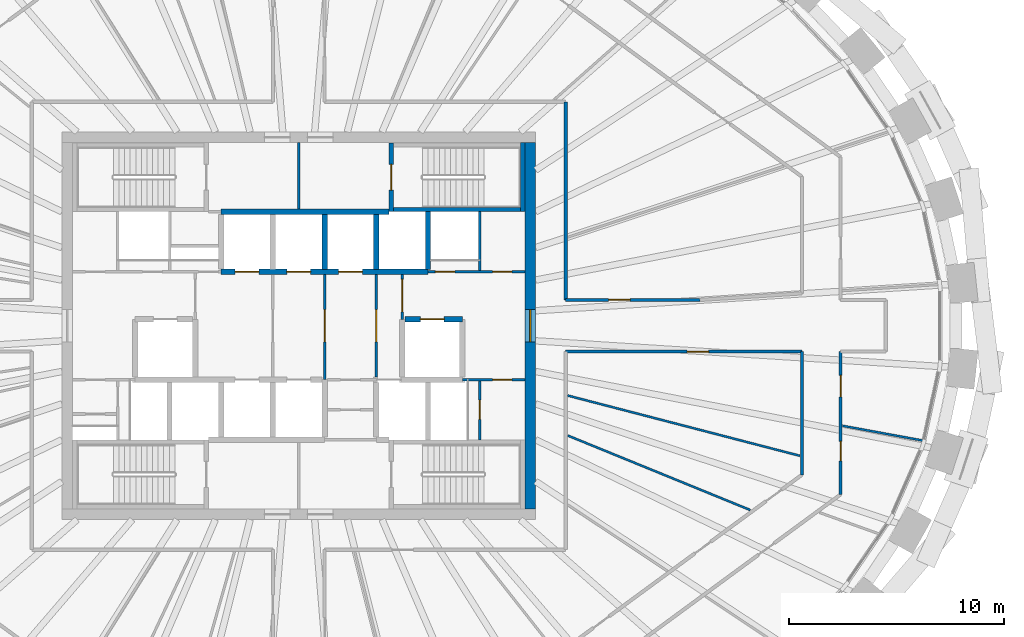
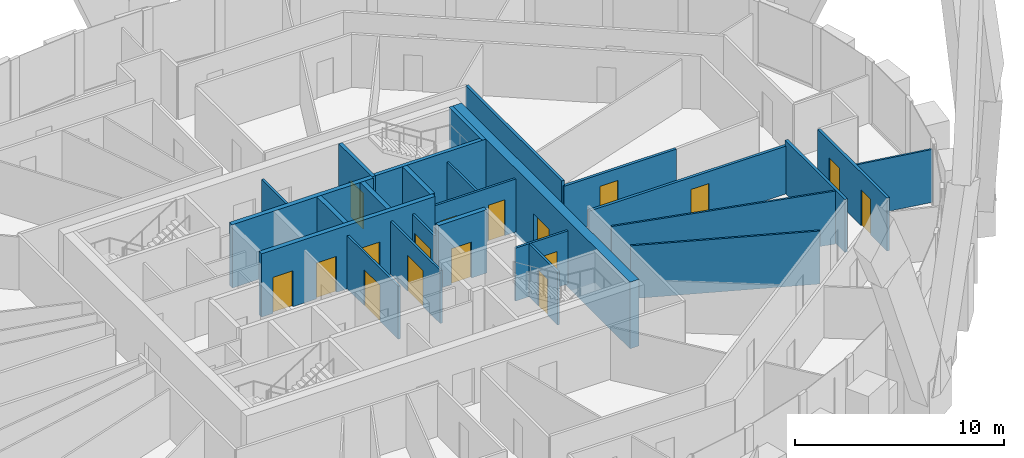
# One storey, part 10 of 14: 26 walls, 17 doors, 17 openings.
"""IFC4 building model written with IfcOpenShell, lengths in metres."""

from ifc_helpers import new_model, si_unit, direction, frame, frame_2d, origin, place, context, subcontext, project, spatial, rectangle, extrude, source, transform, mapped, material, layer, layer_set, type_object, element, fill, save


model = new_model("IFC4")

# Units and contexts
model_context = context("Model", 3, precision=1e-05, world=origin(), true_north=direction((0.0, 1.0)))
body_context = subcontext(model_context, "Body", "Model", "MODEL_VIEW")
ifc_project = project(units=[si_unit("LENGTHUNIT", "METRE"), si_unit("AREAUNIT", "SQUARE_METRE"), si_unit("VOLUMEUNIT", "CUBIC_METRE"), si_unit("PLANEANGLEUNIT", "RADIAN"), si_unit("MASSUNIT", "GRAM", prefix="KILO")], contexts=[model_context])

# Site, building, storey
site_placement = place(None, origin())
site = spatial("IfcSite", under=ifc_project, at=site_placement, CompositionType="ELEMENT")
building_placement = place(site_placement, origin())
building = spatial("IfcBuilding", under=site, at=building_placement, Name="Embergate Tower", CompositionType="ELEMENT")
storey_placement = place(building_placement, frame((0.0, 0.0, 297.39990234375)))
storey = spatial("IfcBuildingStorey", under=building, at=storey_placement, Name="L69", CompositionType="ELEMENT", Elevation=297.39990234375)

# Wall, opening, door
ifc_material_1 = material(Name="Concrete C50", Category="concrete")
ifc_layer_1 = layer(ifc_material_1, 0.5)
ifc_layer_set_1 = layer_set([ifc_layer_1], Name="Concrete C50")
wall_type_1 = type_object("IfcWallType", Name="Core outer wall C50 500", PredefinedType="SHEAR", material=ifc_layer_set_1)
shared_shape_1 = source(origin(), body_context, "Body", "SweptSolid", [
    extrude(rectangle(XDim=17.0, YDim=0.5, at=frame_2d((8.5, 0.0))), origin(), (0.0, 0.0, 1.0), 3.900146484375),
])
wall_1_placement = place(storey_placement, frame((10.75, -8.5, -0.199951171875), z_axis=(0.0, 0.0, 1.0), x_axis=(0.0, 1.0, 0.0)))
wall_1 = element("IfcWall", 1, at=wall_1_placement, inside=storey, type_object=wall_type_1, Name="CW-L69-E", PredefinedType="SHEAR", context=body_context, shape_type="MappedRepresentation", body=[
    mapped(shared_shape_1, transform((0.0, 0.0, 0.0))),
])
shared_shape_2 = source(origin(), body_context, "Body", "SweptSolid", [
    extrude(rectangle(XDim=1.5, YDim=2.10009765625, at=frame_2d((0.75, 1.050048828125))), frame((0.0, 0.260009765625, 0.0), z_axis=(0.0, -1.0, 0.0), x_axis=(1.0, 0.0, 0.0)), (0.0, 0.0, 1.0), 0.52001953125),
])
opening_1_placement = place(wall_1_placement, frame((7.75, 0.0, 0.199951171875)))
opening_1 = element("IfcOpeningElement", 2, at=opening_1_placement, cuts=wall_1, Name="Opening IF-3", PredefinedType="OPENING", context=body_context, shape_type="MappedRepresentation", body=[
    mapped(shared_shape_2, transform((0.0, 0.0, 0.0))),
])
ifc_material_2 = material(Name="Lobby fire door pair 1500")
door_type_1 = type_object("IfcDoorType", Name="Lobby fire door pair 1500", OperationType="DOUBLE_DOOR_SINGLE_SWING", PredefinedType="DOOR", material=ifc_material_2)
shared_shape_3 = source(origin(), body_context, "Body", "SweptSolid", [
    extrude(rectangle(XDim=1.5, YDim=2.10009765625, at=frame_2d((0.75, 1.050048828125))), frame((0.0, 0.02490234375, 0.0), z_axis=(0.0, -1.0, 0.0), x_axis=(1.0, 0.0, 0.0)), (0.0, 0.0, 1.0), 0.050048828125),
])
door_1_placement = place(opening_1_placement, origin())
door_1 = element("IfcDoor", 3, at=door_1_placement, inside=storey, type_object=door_type_1, Name="IF-3 door", OperationType="DOUBLE_DOOR_SINGLE_SWING", OverallHeight=2.10009765625, OverallWidth=1.5, PredefinedType="DOOR", context=body_context, shape_type="MappedRepresentation", body=[
    mapped(shared_shape_3, transform((0.0, 0.0, 0.0))),
])
fill(opening_1, door_1)

# Wall
ifc_material_3 = material(Name="Core partition blockwork 120")
ifc_layer_2 = layer(ifc_material_3, 0.1201171875)
ifc_layer_set_2 = layer_set([ifc_layer_2], Name="Core partition blockwork 120")
wall_type_2 = type_object("IfcWallType", Name="Core partition blockwork 120", PredefinedType="PARTITIONING", material=ifc_layer_set_2)
shared_shape_4 = source(origin(), body_context, "Body", "SweptSolid", [
    extrude(rectangle(XDim=2.739990234375, YDim=0.1201171875, at=frame_2d((1.3701171875, 0.0))), origin(), (0.0, 0.0, 1.0), 3.10009765625),
])
wall_2_placement = place(storey_placement, frame((8.39990234375, 2.56005859375, 0.0), z_axis=(0.0, 0.0, 1.0), x_axis=(0.0, 1.0, 0.0)))
element("IfcWall", 4, at=wall_2_placement, inside=storey, type_object=wall_type_2, Name="IP-3 wall", PredefinedType="PARTITIONING", context=body_context, shape_type="MappedRepresentation", body=[
    mapped(shared_shape_4, transform((0.0, 0.0, 0.0))),
])

# Wall, opening, door
wall_3_placement = place(storey_placement, frame((8.39990234375, -5.300048828125, 0.0), z_axis=(0.0, 0.0, 1.0), x_axis=(0.0, 1.0, 0.0)))
wall_3 = element("IfcWall", 5, at=wall_3_placement, inside=storey, type_object=wall_type_2, Name="IP-3 wall", PredefinedType="PARTITIONING", context=body_context, shape_type="MappedRepresentation", body=[
    mapped(shared_shape_4, transform((0.0, 0.0, 0.0))),
])
shared_shape_5 = source(origin(), body_context, "Body", "SweptSolid", [
    extrude(rectangle(XDim=0.89990234375, YDim=2.10009765625, at=frame_2d((0.449951171875, 1.050048828125))), frame((0.0, 0.070068359375, 0.0), z_axis=(0.0, -1.0, 0.0), x_axis=(1.0, 0.0, 0.0)), (0.0, 0.0, 1.0), 0.14013671875),
])
opening_2_placement = place(wall_3_placement, frame((0.949951171875, 0.0, 0.0)))
opening_2 = element("IfcOpeningElement", 6, at=opening_2_placement, cuts=wall_3, Name="Opening ID-1", PredefinedType="OPENING", context=body_context, shape_type="MappedRepresentation", body=[
    mapped(shared_shape_5, transform((0.0, 0.0, 0.0))),
])
ifc_material_4 = material(Name="Interior door 900")
door_type_2 = type_object("IfcDoorType", Name="Interior door 900", OperationType="SINGLE_SWING_LEFT", PredefinedType="DOOR", material=ifc_material_4)
shared_shape_6 = source(origin(), body_context, "Body", "SweptSolid", [
    extrude(rectangle(XDim=0.89990234375, YDim=2.10009765625, at=frame_2d((0.449951171875, 1.050048828125))), frame((0.0, 0.02490234375, 0.0), z_axis=(0.0, -1.0, 0.0), x_axis=(1.0, 0.0, 0.0)), (0.0, 0.0, 1.0), 0.050048828125),
])
door_2_placement = place(opening_2_placement, origin())
door_2 = element("IfcDoor", 7, at=door_2_placement, inside=storey, type_object=door_type_2, Name="ID-1 door", OperationType="SINGLE_SWING_LEFT", OverallHeight=2.10009765625, OverallWidth=0.89990234375, PredefinedType="DOOR", context=body_context, shape_type="MappedRepresentation", body=[
    mapped(shared_shape_6, transform((0.0, 0.0, 0.0))),
])
fill(opening_2, door_2)

shared_shape_7 = source(origin(), body_context, "Body", "SweptSolid", [
    extrude(rectangle(XDim=4.75, YDim=0.1201171875, at=frame_2d((2.375, 0.0))), origin(), (0.0, 0.0, 1.0), 3.10009765625),
])
wall_4_placement = place(storey_placement, frame((3.60009765625, -2.375, 0.0), z_axis=(0.0, 0.0, 1.0), x_axis=(0.0, 1.0, 0.0)))
wall_4 = element("IfcWall", 8, at=wall_4_placement, inside=storey, type_object=wall_type_2, Name="IP-3 wall", PredefinedType="PARTITIONING", context=body_context, shape_type="MappedRepresentation", body=[
    mapped(shared_shape_7, transform((0.0, 0.0, 0.0))),
])
shared_shape_8 = source(origin(), body_context, "Body", "SweptSolid", [
    extrude(rectangle(XDim=1.5, YDim=2.10009765625, at=frame_2d((0.75, 1.050048828125))), frame((0.0, 0.070068359375, 0.0), z_axis=(0.0, -1.0, 0.0), x_axis=(1.0, 0.0, 0.0)), (0.0, 0.0, 1.0), 0.14013671875),
])
opening_3_placement = place(wall_4_placement, frame((1.625, 0.0, 0.0)))
opening_3 = element("IfcOpeningElement", 9, at=opening_3_placement, cuts=wall_4, Name="Opening IF-3", PredefinedType="OPENING", context=body_context, shape_type="MappedRepresentation", body=[
    mapped(shared_shape_8, transform((0.0, 0.0, 0.0))),
])
door_3_placement = place(opening_3_placement, origin())
door_3 = element("IfcDoor", 10, at=door_3_placement, inside=storey, type_object=door_type_1, Name="IF-3 door", OperationType="DOUBLE_DOOR_SINGLE_SWING", OverallHeight=2.10009765625, OverallWidth=1.5, PredefinedType="DOOR", context=body_context, shape_type="MappedRepresentation", body=[
    mapped(shared_shape_3, transform((0.0, 0.0, 0.0))),
])
fill(opening_3, door_3)

shared_shape_9 = source(origin(), body_context, "Body", "SweptSolid", [
    extrude(rectangle(XDim=2.074951171875, YDim=0.1201171875, at=frame_2d((1.03759765625, 0.0))), origin(), (0.0, 0.0, 1.0), 3.10009765625),
])
wall_5_placement = place(storey_placement, frame((4.800048828125, 0.300048828125, 0.0), z_axis=(0.0, 0.0, 1.0), x_axis=(0.0, 1.0, 0.0)))
wall_5 = element("IfcWall", 11, at=wall_5_placement, inside=storey, type_object=wall_type_2, Name="IP-3 wall", PredefinedType="PARTITIONING", context=body_context, shape_type="MappedRepresentation", body=[
    mapped(shared_shape_9, transform((0.0, 0.0, 0.0))),
])
opening_4_placement = place(wall_5_placement, frame((0.35009765625, 0.0, 0.0)))
opening_4 = element("IfcOpeningElement", 12, at=opening_4_placement, cuts=wall_5, Name="Opening IF-3", PredefinedType="OPENING", context=body_context, shape_type="MappedRepresentation", body=[
    mapped(shared_shape_8, transform((0.0, 0.0, 0.0))),
])
door_4_placement = place(opening_4_placement, origin())
door_4 = element("IfcDoor", 13, at=door_4_placement, inside=storey, type_object=door_type_1, Name="IF-3 door", OperationType="DOUBLE_DOOR_SINGLE_SWING", OverallHeight=2.10009765625, OverallWidth=1.5, PredefinedType="DOOR", context=body_context, shape_type="MappedRepresentation", body=[
    mapped(shared_shape_3, transform((0.0, 0.0, 0.0))),
])
fill(opening_4, door_4)

# Wall
ifc_layer_3 = layer(ifc_material_1, 0.25)
ifc_layer_set_3 = layer_set([ifc_layer_3], Name="Concrete C50")
wall_type_3 = type_object("IfcWallType", Name="Hoistway wall reinforced concrete 250", PredefinedType="SHEAR", material=ifc_layer_set_3)
shared_shape_10 = source(origin(), body_context, "Body", "SweptSolid", [
    extrude(rectangle(XDim=2.675048828125, YDim=0.25, at=frame_2d((1.33740234375, 0.0))), origin(), (0.0, 0.0, 1.0), 3.7001953125),
])
wall_6_placement = place(storey_placement, frame((6.0, 2.625, 0.0), z_axis=(0.0, 0.0, 1.0), x_axis=(0.0, 1.0, 0.0)))
element("IfcWall", 14, at=wall_6_placement, inside=storey, type_object=wall_type_3, Name="HW-1 wall", PredefinedType="SHEAR", context=body_context, shape_type="MappedRepresentation", body=[
    mapped(shared_shape_10, transform((0.0, 0.0, 0.0))),
])

# Wall, opening, door
wall_7_placement = place(storey_placement, frame((7.60009765625, 0.300048828125, 0.0), z_axis=(0.0, 0.0, 1.0), x_axis=(-1.0, 0.0, 0.0)))
wall_7 = element("IfcWall", 15, at=wall_7_placement, inside=storey, type_object=wall_type_3, Name="HW-1 wall", PredefinedType="SHEAR", context=body_context, shape_type="MappedRepresentation", body=[
    mapped(shared_shape_10, transform((0.0, 0.0, 0.0))),
])
shared_shape_11 = source(origin(), body_context, "Body", "SweptSolid", [
    extrude(rectangle(XDim=1.10009765625, YDim=2.10009765625, at=frame_2d((0.550048828125, 1.050048828125))), frame((0.0, 0.135009765625, 0.0), z_axis=(0.0, -1.0, 0.0), x_axis=(1.0, 0.0, 0.0)), (0.0, 0.0, 1.0), 0.27001953125),
])
opening_5_placement = place(wall_7_placement, frame((0.85009765625, 0.0, 0.0)))
opening_5 = element("IfcOpeningElement", 16, at=opening_5_placement, cuts=wall_7, Name="Opening LD", PredefinedType="OPENING", context=body_context, shape_type="MappedRepresentation", body=[
    mapped(shared_shape_11, transform((0.0, 0.0, 0.0))),
])
ifc_material_5 = material(Name="Landing door sliding 1100")
door_type_3 = type_object("IfcDoorType", Name="Landing door sliding 1100", OperationType="SLIDING_TO_LEFT", PredefinedType="DOOR", material=ifc_material_5)
shared_shape_12 = source(origin(), body_context, "Body", "SweptSolid", [
    extrude(rectangle(XDim=1.10009765625, YDim=2.10009765625, at=frame_2d((0.550048828125, 1.050048828125))), frame((0.0, 0.02490234375, 0.0), z_axis=(0.0, -1.0, 0.0), x_axis=(1.0, 0.0, 0.0)), (0.0, 0.0, 1.0), 0.050048828125),
])
door_5_placement = place(opening_5_placement, origin())
door_5 = element("IfcDoor", 17, at=door_5_placement, inside=storey, type_object=door_type_3, Name="LD door", OperationType="SLIDING_TO_LEFT", OverallHeight=2.10009765625, OverallWidth=1.10009765625, PredefinedType="DOOR", context=body_context, shape_type="MappedRepresentation", body=[
    mapped(shared_shape_12, transform((0.0, 0.0, 0.0))),
])
fill(opening_5, door_5)

# Walls
ifc_layer_4 = layer(ifc_material_1, 0.199951171875)
ifc_layer_set_4 = layer_set([ifc_layer_4], Name="Concrete C50")
wall_type_4 = type_object("IfcWallType", Name="Stair enclosure wall reinforced concrete 250", PredefinedType="SHEAR", material=ifc_layer_set_4)
shared_shape_13 = source(origin(), body_context, "Body", "SweptSolid", [
    extrude(rectangle(XDim=6.300048828125, YDim=0.199951171875, at=frame_2d((3.14990234375, 0.0))), origin(), (0.0, 0.0, 1.0), 3.7001953125),
])
wall_8_placement = place(storey_placement, frame((10.5, 5.39990234375, 0.0), z_axis=(0.0, 0.0, 1.0), x_axis=(-1.0, 0.0, 0.0)))
element("IfcWall", 18, at=wall_8_placement, inside=storey, type_object=wall_type_4, Name="SE-1 wall", PredefinedType="SHEAR", context=body_context, shape_type="MappedRepresentation", body=[
    mapped(shared_shape_13, transform((0.0, 0.0, 0.0))),
])
shared_shape_14 = source(origin(), body_context, "Body", "SweptSolid", [
    extrude(rectangle(XDim=2.550048828125, YDim=0.25, at=frame_2d((1.27490234375, 0.0))), origin(), (0.0, 0.0, 1.0), 3.7001953125),
])
for number, where, z_axis, x_axis, name in (
    (19, (1.199951171875, 2.625, 0.0), (0.0, 0.0, 1.0), (0.0, 1.0, 0.0), "HW-1 wall"),
    (20, (3.60009765625, 2.625, 0.0), (0.0, 0.0, 1.0), (0.0, 1.0, 0.0), "HW-1 wall"),
):
    element("IfcWall", number, at=place(storey_placement, frame(where, z_axis=z_axis, x_axis=x_axis)), inside=storey, type_object=wall_type_3, Name=name, PredefinedType="SHEAR", context=body_context, shape_type="MappedRepresentation", body=[
        mapped(shared_shape_14, transform((0.0, 0.0, 0.0))),
    ])

# Wall, opening, door
shared_shape_15 = source(origin(), body_context, "Body", "SweptSolid", [
    extrude(rectangle(XDim=3.199951171875, YDim=0.199951171875, at=frame_2d((1.60009765625, 0.0))), origin(), (0.0, 0.0, 1.0), 3.7001953125),
])
wall_9_placement = place(storey_placement, frame((4.300048828125, 8.5, 0.0), z_axis=(0.0, 0.0, 1.0), x_axis=(0.0, -1.0, 0.0)))
wall_9 = element("IfcWall", 21, at=wall_9_placement, inside=storey, type_object=wall_type_4, Name="SE-1 wall", PredefinedType="SHEAR", context=body_context, shape_type="MappedRepresentation", body=[
    mapped(shared_shape_15, transform((0.0, 0.0, 0.0))),
])
shared_shape_16 = source(origin(), body_context, "Body", "SweptSolid", [
    extrude(rectangle(XDim=1.199951171875, YDim=2.10009765625, at=frame_2d((0.60009765625, 1.050048828125))), frame((0.0, 0.10986328125, 0.0), z_axis=(0.0, -1.0, 0.0), x_axis=(1.0, 0.0, 0.0)), (0.0, 0.0, 1.0), 0.219970703125),
])
opening_6_placement = place(wall_9_placement, frame((1.0, 0.0, 0.0)))
opening_6 = element("IfcOpeningElement", 22, at=opening_6_placement, cuts=wall_9, Name="Opening IF-2", PredefinedType="OPENING", context=body_context, shape_type="MappedRepresentation", body=[
    mapped(shared_shape_16, transform((0.0, 0.0, 0.0))),
])
ifc_material_6 = material(Name="Stair enclosure door 1200")
door_type_4 = type_object("IfcDoorType", Name="Stair enclosure door 1200", OperationType="SINGLE_SWING_LEFT", PredefinedType="DOOR", material=ifc_material_6)
shared_shape_17 = source(origin(), body_context, "Body", "SweptSolid", [
    extrude(rectangle(XDim=1.199951171875, YDim=2.10009765625, at=frame_2d((0.60009765625, 1.050048828125))), frame((0.0, 0.02490234375, 0.0), z_axis=(0.0, -1.0, 0.0), x_axis=(1.0, 0.0, 0.0)), (0.0, 0.0, 1.0), 0.050048828125),
])
door_6_placement = place(opening_6_placement, origin())
door_6 = element("IfcDoor", 23, at=door_6_placement, inside=storey, type_object=door_type_4, Name="IF-2 door", OperationType="SINGLE_SWING_RIGHT", OverallHeight=2.10009765625, OverallWidth=1.199951171875, PredefinedType="DOOR", context=body_context, shape_type="MappedRepresentation", body=[
    mapped(shared_shape_17, transform((0.0, 0.0, 0.0))),
])
fill(opening_6, door_6)

# Wall
ifc_material_7 = material(Name="Corridor wall dry-lined 150")
ifc_layer_5 = layer(ifc_material_7, 0.14990234375)
ifc_layer_set_5 = layer_set([ifc_layer_5], Name="Corridor wall dry-lined 150")
wall_type_5 = type_object("IfcWallType", Name="Corridor wall dry-lined 150", PredefinedType="PARTITIONING", material=ifc_layer_set_5)
shared_shape_18 = source(origin(), body_context, "Body", "SweptSolid", [
    extrude(rectangle(XDim=9.199951171875, YDim=0.14990234375, at=frame_2d((4.60009765625, 0.0))), origin(), (0.0, 0.0, 1.0), 3.10009765625),
])
wall_10_placement = place(storey_placement, frame((12.39990234375, 1.199951171875, 0.0), z_axis=(0.0, 0.0, 1.0), x_axis=(0.0, 1.0, 0.0)))
element("IfcWall", 24, at=wall_10_placement, inside=storey, type_object=wall_type_5, Name="IP-2 wall", PredefinedType="PARTITIONING", context=body_context, shape_type="MappedRepresentation", body=[
    mapped(shared_shape_18, transform((0.0, 0.0, 0.0))),
])

# Wall, openings, doors
shared_shape_19 = source(origin(), body_context, "Body", "SweptSolid", [
    extrude(rectangle(XDim=4.5, YDim=0.1201171875, at=frame_2d((2.25, 0.0))), origin(), (0.0, 0.0, 1.0), 3.10009765625),
])
wall_11_placement = place(storey_placement, frame((6.0, 2.5, 0.0), z_axis=(0.0, 0.0, 1.0), x_axis=(1.0, 0.0, 0.0)))
wall_11 = element("IfcWall", 25, at=wall_11_placement, inside=storey, type_object=wall_type_2, Name="IP-3 wall", PredefinedType="PARTITIONING", context=body_context, shape_type="MappedRepresentation", body=[
    mapped(shared_shape_19, transform((0.0, 0.0, 0.0))),
])
opening_7_placement = place(wall_11_placement, frame((0.35009765625, 0.0, 0.0)))
opening_7 = element("IfcOpeningElement", 26, at=opening_7_placement, cuts=wall_11, Name="Opening ID-1", PredefinedType="OPENING", context=body_context, shape_type="MappedRepresentation", body=[
    mapped(shared_shape_5, transform((0.0, 0.0, 0.0))),
])
opening_8_placement = place(wall_11_placement, frame((3.0, 0.0, 0.0)))
opening_8 = element("IfcOpeningElement", 27, at=opening_8_placement, cuts=wall_11, Name="Opening ID-1", PredefinedType="OPENING", context=body_context, shape_type="MappedRepresentation", body=[
    mapped(shared_shape_5, transform((0.0, 0.0, 0.0))),
])
door_7_placement = place(opening_7_placement, origin())
door_7 = element("IfcDoor", 28, at=door_7_placement, inside=storey, type_object=door_type_2, Name="ID-1 door", OperationType="SINGLE_SWING_LEFT", OverallHeight=2.10009765625, OverallWidth=0.89990234375, PredefinedType="DOOR", context=body_context, shape_type="MappedRepresentation", body=[
    mapped(shared_shape_6, transform((0.0, 0.0, 0.0))),
])
fill(opening_7, door_7)
door_8_placement = place(opening_8_placement, origin())
door_8 = element("IfcDoor", 29, at=door_8_placement, inside=storey, type_object=door_type_2, Name="ID-1 door", OperationType="SINGLE_SWING_LEFT", OverallHeight=2.10009765625, OverallWidth=0.89990234375, PredefinedType="DOOR", context=body_context, shape_type="MappedRepresentation", body=[
    mapped(shared_shape_6, transform((0.0, 0.0, 0.0))),
])
fill(opening_8, door_8)

# Wall, opening, door
shared_shape_20 = source(origin(), body_context, "Body", "SweptSolid", [
    extrude(rectangle(XDim=2.89990234375, YDim=0.1201171875, at=frame_2d((1.449951171875, 0.0))), origin(), (0.0, 0.0, 1.0), 3.10009765625),
])
wall_12_placement = place(storey_placement, frame((10.5, -2.5, 0.0), z_axis=(0.0, 0.0, 1.0), x_axis=(-1.0, 0.0, 0.0)))
wall_12 = element("IfcWall", 30, at=wall_12_placement, inside=storey, type_object=wall_type_2, Name="IP-3 wall", PredefinedType="PARTITIONING", context=body_context, shape_type="MappedRepresentation", body=[
    mapped(shared_shape_20, transform((0.0, 0.0, 0.0))),
])
opening_9_placement = place(wall_12_placement, frame((0.60009765625, 0.0, 0.0)))
opening_9 = element("IfcOpeningElement", 31, at=opening_9_placement, cuts=wall_12, Name="Opening ID-1", PredefinedType="OPENING", context=body_context, shape_type="MappedRepresentation", body=[
    mapped(shared_shape_5, transform((0.0, 0.0, 0.0))),
])
door_9_placement = place(opening_9_placement, origin())
door_9 = element("IfcDoor", 32, at=door_9_placement, inside=storey, type_object=door_type_2, Name="ID-1 door", OperationType="SINGLE_SWING_RIGHT", OverallHeight=2.10009765625, OverallWidth=0.89990234375, PredefinedType="DOOR", context=body_context, shape_type="MappedRepresentation", body=[
    mapped(shared_shape_6, transform((0.0, 0.0, 0.0))),
])
fill(opening_9, door_9)

shared_shape_21 = source(origin(), body_context, "Body", "SweptSolid", [
    extrude(rectangle(XDim=4.875, YDim=0.1201171875, at=frame_2d((2.4375, 0.0))), origin(), (0.0, 0.0, 1.0), 3.10009765625),
])
wall_13_placement = place(storey_placement, frame((1.199951171875, -2.5, 0.0), z_axis=(0.0, 0.0, 1.0), x_axis=(0.0, 1.0, 0.0)))
wall_13 = element("IfcWall", 33, at=wall_13_placement, inside=storey, type_object=wall_type_2, Name="IP-3 wall", PredefinedType="PARTITIONING", context=body_context, shape_type="MappedRepresentation", body=[
    mapped(shared_shape_21, transform((0.0, 0.0, 0.0))),
])
opening_10_placement = place(wall_13_placement, frame((1.75, 0.0, 0.0)))
opening_10 = element("IfcOpeningElement", 34, at=opening_10_placement, cuts=wall_13, Name="Opening IF-3", PredefinedType="OPENING", context=body_context, shape_type="MappedRepresentation", body=[
    mapped(shared_shape_8, transform((0.0, 0.0, 0.0))),
])
door_10_placement = place(opening_10_placement, origin())
door_10 = element("IfcDoor", 35, at=door_10_placement, inside=storey, type_object=door_type_1, Name="IF-3 door", OperationType="DOUBLE_DOOR_SINGLE_SWING", OverallHeight=2.10009765625, OverallWidth=1.5, PredefinedType="DOOR", context=body_context, shape_type="MappedRepresentation", body=[
    mapped(shared_shape_3, transform((0.0, 0.0, 0.0))),
])
fill(opening_10, door_10)

# Walls
shared_shape_22 = source(origin(), body_context, "Body", "SweptSolid", [
    extrude(rectangle(XDim=3.074951171875, YDim=0.1201171875, at=frame_2d((1.53759765625, 0.0))), origin(), (0.0, 0.0, 1.0), 3.10009765625),
])
wall_14_placement = place(storey_placement, frame((0.0, 5.425048828125, 0.0), z_axis=(0.0, 0.0, 1.0), x_axis=(0.0, 1.0, 0.0)))
element("IfcWall", 36, at=wall_14_placement, inside=storey, type_object=wall_type_2, Name="IP-3 wall", PredefinedType="PARTITIONING", context=body_context, shape_type="MappedRepresentation", body=[
    mapped(shared_shape_22, transform((0.0, 0.0, 0.0))),
])
shared_shape_23 = source(origin(), body_context, "Body", "SweptSolid", [
    extrude(rectangle(XDim=7.800048828125, YDim=0.25, at=frame_2d((3.89990234375, 0.0))), origin(), (0.0, 0.0, 1.0), 3.7001953125),
])
wall_15_placement = place(storey_placement, frame((4.199951171875, 5.300048828125, 0.0), z_axis=(0.0, 0.0, 1.0), x_axis=(-1.0, 0.0, 0.0)))
element("IfcWall", 37, at=wall_15_placement, inside=storey, type_object=wall_type_3, Name="HW-1 wall", PredefinedType="SHEAR", context=body_context, shape_type="MappedRepresentation", body=[
    mapped(shared_shape_23, transform((0.0, 0.0, 0.0))),
])
shared_shape_24 = source(origin(), body_context, "Body", "SweptSolid", [
    extrude(rectangle(XDim=3.197998046875, YDim=0.199951171875, at=frame_2d((1.59912109375, 0.0))), origin(), (0.0, 0.0, 1.0), 3.7001953125),
])
wall_16_placement = place(storey_placement, frame((10.39990234375, 5.302001953125, 0.0), z_axis=(0.0, 0.0, 1.0), x_axis=(0.0, 1.0, 0.0)))
element("IfcWall", 38, at=wall_16_placement, inside=storey, type_object=wall_type_4, Name="SE-1 wall", PredefinedType="SHEAR", context=body_context, shape_type="MappedRepresentation", body=[
    mapped(shared_shape_24, transform((0.0, 0.0, 0.0))),
])

# Wall, openings, doors
shared_shape_25 = source(origin(), body_context, "Body", "SweptSolid", [
    extrude(rectangle(XDim=6.634033203125, YDim=0.14990234375, at=frame_2d((3.31689453125, 0.0))), origin(), (0.0, 0.0, 1.0), 3.10009765625),
])
wall_17_placement = place(storey_placement, frame((25.166015625, -1.199951171875, 0.0), z_axis=(0.0, 0.0, 1.0), x_axis=(0.0, -1.0, 0.0)))
wall_17 = element("IfcWall", 39, at=wall_17_placement, inside=storey, type_object=wall_type_5, Name="IP-2 wall", PredefinedType="PARTITIONING", context=body_context, shape_type="MappedRepresentation", body=[
    mapped(shared_shape_25, transform((0.0, 0.0, 0.0))),
])
shared_shape_26 = source(origin(), body_context, "Body", "SweptSolid", [
    extrude(rectangle(XDim=0.89990234375, YDim=2.10009765625, at=frame_2d((0.449951171875, 1.050048828125))), frame((0.0, 0.0849609375, 0.0), z_axis=(0.0, -1.0, 0.0), x_axis=(1.0, 0.0, 0.0)), (0.0, 0.0, 1.0), 0.169921875),
])
opening_11_placement = place(wall_17_placement, frame((4.173095703125, 0.0, 0.0)))
opening_11 = element("IfcOpeningElement", 40, at=opening_11_placement, cuts=wall_17, Name="Opening IF-1c", PredefinedType="OPENING", context=body_context, shape_type="MappedRepresentation", body=[
    mapped(shared_shape_26, transform((0.0, 0.0, 0.0))),
])
shared_shape_27 = source(origin(), body_context, "Body", "SweptSolid", [
    extrude(rectangle(XDim=1.0, YDim=2.10009765625, at=frame_2d((0.5, 1.050048828125))), frame((0.0, 0.0849609375, 0.0), z_axis=(0.0, -1.0, 0.0), x_axis=(1.0, 0.0, 0.0)), (0.0, 0.0, 1.0), 0.169921875),
])
opening_12_placement = place(wall_17_placement, frame((1.10498046875, 0.0, 0.0)))
opening_12 = element("IfcOpeningElement", 41, at=opening_12_placement, cuts=wall_17, Name="Opening ID-2", PredefinedType="OPENING", context=body_context, shape_type="MappedRepresentation", body=[
    mapped(shared_shape_27, transform((0.0, 0.0, 0.0))),
])
ifc_material_8 = material(Name="Escape fire door 900")
door_type_5 = type_object("IfcDoorType", Name="Escape fire door 900", OperationType="SINGLE_SWING_LEFT", PredefinedType="DOOR", material=ifc_material_8)
door_11_placement = place(opening_11_placement, origin())
door_11 = element("IfcDoor", 42, at=door_11_placement, inside=storey, type_object=door_type_5, Name="IF-1 door", OperationType="SINGLE_SWING_RIGHT", OverallHeight=2.10009765625, OverallWidth=0.89990234375, PredefinedType="DOOR", context=body_context, shape_type="MappedRepresentation", body=[
    mapped(shared_shape_6, transform((0.0, 0.0, 0.0))),
])
fill(opening_11, door_11)
ifc_material_9 = material(Name="Interior door 1000")
door_type_6 = type_object("IfcDoorType", Name="Interior door 1000", OperationType="SINGLE_SWING_LEFT", PredefinedType="DOOR", material=ifc_material_9)
shared_shape_28 = source(origin(), body_context, "Body", "SweptSolid", [
    extrude(rectangle(XDim=1.0, YDim=2.10009765625, at=frame_2d((0.5, 1.050048828125))), frame((0.0, 0.02490234375, 0.0), z_axis=(0.0, -1.0, 0.0), x_axis=(1.0, 0.0, 0.0)), (0.0, 0.0, 1.0), 0.050048828125),
])
door_12_placement = place(opening_12_placement, origin())
door_12 = element("IfcDoor", 43, at=door_12_placement, inside=storey, type_object=door_type_6, Name="ID-2 door", OperationType="SINGLE_SWING_RIGHT", OverallHeight=2.10009765625, OverallWidth=1.0, PredefinedType="DOOR", context=body_context, shape_type="MappedRepresentation", body=[
    mapped(shared_shape_28, transform((0.0, 0.0, 0.0))),
])
fill(opening_12, door_12)

# Wall
shared_shape_29 = source(origin(), body_context, "Body", "SweptSolid", [
    extrude(rectangle(XDim=5.72314453125, YDim=0.14990234375, at=frame_2d((2.861572265625, 0.0))), origin(), (0.0, 0.0, 1.0), 3.10009765625),
])
wall_18_placement = place(storey_placement, frame((23.365966796875, -1.199951171875, 0.0), z_axis=(0.0, 0.0, 1.0), x_axis=(0.0, -1.0, 0.0)))
element("IfcWall", 44, at=wall_18_placement, inside=storey, type_object=wall_type_5, Name="IP-2 wall", PredefinedType="PARTITIONING", context=body_context, shape_type="MappedRepresentation", body=[
    mapped(shared_shape_29, transform((0.0, 0.0, 0.0))),
])

# Wall, opening, door
shared_shape_30 = source(origin(), body_context, "Body", "SweptSolid", [
    extrude(rectangle(XDim=10.966064453125, YDim=0.14990234375, at=frame_2d((5.48291015625, 0.0))), origin(), (0.0, 0.0, 1.0), 2.800048828125),
])
wall_19_placement = place(storey_placement, frame((12.39990234375, -1.199951171875, 0.0), z_axis=(0.0, 0.0, 1.0), x_axis=(1.0, 0.0, 0.0)))
wall_19 = element("IfcWall", 45, at=wall_19_placement, inside=storey, type_object=wall_type_5, Name="IP-2 wall", PredefinedType="PARTITIONING", context=body_context, shape_type="MappedRepresentation", body=[
    mapped(shared_shape_30, transform((0.0, 0.0, 0.0))),
])
opening_13_placement = place(wall_19_placement, frame((5.637939453125, 0.0, 0.0)))
opening_13 = element("IfcOpeningElement", 46, at=opening_13_placement, cuts=wall_19, Name="Opening ID-2", PredefinedType="OPENING", context=body_context, shape_type="MappedRepresentation", body=[
    mapped(shared_shape_27, transform((0.0, 0.0, 0.0))),
])
door_13_placement = place(opening_13_placement, origin())
door_13 = element("IfcDoor", 47, at=door_13_placement, inside=storey, type_object=door_type_6, Name="ID-2 door", OperationType="SINGLE_SWING_LEFT", OverallHeight=2.10009765625, OverallWidth=1.0, PredefinedType="DOOR", context=body_context, shape_type="MappedRepresentation", body=[
    mapped(shared_shape_28, transform((0.0, 0.0, 0.0))),
])
fill(opening_13, door_13)

shared_shape_31 = source(origin(), body_context, "Body", "SweptSolid", [
    extrude(rectangle(XDim=6.22509765625, YDim=0.14990234375, at=frame_2d((3.112548828125, 0.0))), origin(), (0.0, 0.0, 1.0), 2.800048828125),
])
wall_20_placement = place(storey_placement, frame((18.625, 1.199951171875, 0.0), z_axis=(0.0, 0.0, 1.0), x_axis=(-1.0, 0.0, 0.0)))
wall_20 = element("IfcWall", 48, at=wall_20_placement, inside=storey, type_object=wall_type_5, Name="IP-2 wall", PredefinedType="PARTITIONING", context=body_context, shape_type="MappedRepresentation", body=[
    mapped(shared_shape_31, transform((0.0, 0.0, 0.0))),
])
opening_14_placement = place(wall_20_placement, frame((3.239013671875, 0.0, 0.0)))
opening_14 = element("IfcOpeningElement", 49, at=opening_14_placement, cuts=wall_20, Name="Opening ID-2", PredefinedType="OPENING", context=body_context, shape_type="MappedRepresentation", body=[
    mapped(shared_shape_27, transform((0.0, 0.0, 0.0))),
])
door_14_placement = place(opening_14_placement, origin())
door_14 = element("IfcDoor", 50, at=door_14_placement, inside=storey, type_object=door_type_6, Name="ID-2 door", OperationType="SINGLE_SWING_RIGHT", OverallHeight=2.10009765625, OverallWidth=1.0, PredefinedType="DOOR", context=body_context, shape_type="MappedRepresentation", body=[
    mapped(shared_shape_28, transform((0.0, 0.0, 0.0))),
])
fill(opening_14, door_14)

# Walls
ifc_material_10 = material(Name="Partition dry-lined 100")
ifc_layer_6 = layer(ifc_material_10, 0.10009765625)
ifc_layer_set_6 = layer_set([ifc_layer_6], Name="Partition dry-lined 100")
wall_type_6 = type_object("IfcWallType", Name="Partition dry-lined 100", PredefinedType="PARTITIONING", material=ifc_layer_set_6)
shared_shape_32 = source(origin(), body_context, "Body", "SweptSolid", [
    extrude(rectangle(XDim=3.846435546875, YDim=0.10009765625, at=frame_2d((1.92333984375, 0.0))), origin(), (0.0, 0.0, 1.0), 3.10009765625),
])
wall_21_placement = place(storey_placement, frame((25.25, -4.64501953125, 0.0), z_axis=(0.0, 0.0, 1.0), x_axis=(0.983490961004, -0.180957259104, 0.0)))
element("IfcWall", 51, at=wall_21_placement, inside=storey, type_object=wall_type_6, Name="IP-1 wall", PredefinedType="PARTITIONING", context=body_context, shape_type="MappedRepresentation", body=[
    mapped(shared_shape_32, transform((0.0, 0.0, 0.0))),
])
shared_shape_33 = source(origin(), body_context, "Body", "SweptSolid", [
    extrude(rectangle(XDim=9.15234375, YDim=0.10009765625, at=frame_2d((4.576171875, 0.0))), origin(), (0.0, 0.0, 1.0), 3.10009765625),
])
wall_22_placement = place(storey_placement, frame((12.493896484375, -5.09912109375, 0.0), z_axis=(0.0, 0.0, 1.0), x_axis=(0.925888207932, -0.377797599797, 0.0)))
element("IfcWall", 52, at=wall_22_placement, inside=storey, type_object=wall_type_6, Name="IP-1 wall", PredefinedType="PARTITIONING", context=body_context, shape_type="MappedRepresentation", body=[
    mapped(shared_shape_33, transform((0.0, 0.0, 0.0))),
])
shared_shape_34 = source(origin(), body_context, "Body", "SweptSolid", [
    extrude(rectangle(XDim=11.1474609375, YDim=0.10009765625, at=frame_2d((5.57373046875, 0.0))), origin(), (0.0, 0.0, 1.0), 3.10009765625),
])
wall_23_placement = place(storey_placement, frame((12.488037109375, -3.239990234375, 0.0), z_axis=(0.0, 0.0, 1.0), x_axis=(0.967939530388, -0.251183330483, 0.0)))
element("IfcWall", 53, at=wall_23_placement, inside=storey, type_object=wall_type_6, Name="IP-1 wall", PredefinedType="PARTITIONING", context=body_context, shape_type="MappedRepresentation", body=[
    mapped(shared_shape_34, transform((0.0, 0.0, 0.0))),
])

# Wall, openings, doors
shared_shape_35 = source(origin(), body_context, "Body", "SweptSolid", [
    extrude(rectangle(XDim=9.60009765625, YDim=0.25, at=frame_2d((4.800048828125, 0.0))), origin(), (0.0, 0.0, 1.0), 3.7001953125),
])
wall_24_placement = place(storey_placement, frame((-3.60009765625, 2.5, 0.0), z_axis=(0.0, 0.0, 1.0), x_axis=(1.0, 0.0, 0.0)))
wall_24 = element("IfcWall", 54, at=wall_24_placement, inside=storey, type_object=wall_type_3, Name="HW-1 wall", PredefinedType="SHEAR", context=body_context, shape_type="MappedRepresentation", body=[
    mapped(shared_shape_35, transform((0.0, 0.0, 0.0))),
])
opening_15_placement = place(wall_24_placement, frame((0.64990234375, 0.0, 0.0)))
opening_15 = element("IfcOpeningElement", 55, at=opening_15_placement, cuts=wall_24, Name="Opening LD", PredefinedType="OPENING", context=body_context, shape_type="MappedRepresentation", body=[
    mapped(shared_shape_11, transform((0.0, 0.0, 0.0))),
])
opening_16_placement = place(wall_24_placement, frame((3.050048828125, 0.0, 0.0)))
opening_16 = element("IfcOpeningElement", 56, at=opening_16_placement, cuts=wall_24, Name="Opening LD", PredefinedType="OPENING", context=body_context, shape_type="MappedRepresentation", body=[
    mapped(shared_shape_11, transform((0.0, 0.0, 0.0))),
])
opening_17_placement = place(wall_24_placement, frame((5.449951171875, 0.0, 0.0)))
opening_17 = element("IfcOpeningElement", 57, at=opening_17_placement, cuts=wall_24, Name="Opening LD", PredefinedType="OPENING", context=body_context, shape_type="MappedRepresentation", body=[
    mapped(shared_shape_11, transform((0.0, 0.0, 0.0))),
])
door_15_placement = place(opening_15_placement, origin())
door_15 = element("IfcDoor", 58, at=door_15_placement, inside=storey, type_object=door_type_3, Name="LD door", OperationType="SLIDING_TO_LEFT", OverallHeight=2.10009765625, OverallWidth=1.10009765625, PredefinedType="DOOR", context=body_context, shape_type="MappedRepresentation", body=[
    mapped(shared_shape_12, transform((0.0, 0.0, 0.0))),
])
fill(opening_15, door_15)
door_16_placement = place(opening_16_placement, origin())
door_16 = element("IfcDoor", 59, at=door_16_placement, inside=storey, type_object=door_type_3, Name="LD door", OperationType="SLIDING_TO_LEFT", OverallHeight=2.10009765625, OverallWidth=1.10009765625, PredefinedType="DOOR", context=body_context, shape_type="MappedRepresentation", body=[
    mapped(shared_shape_12, transform((0.0, 0.0, 0.0))),
])
fill(opening_16, door_16)
door_17_placement = place(opening_17_placement, origin())
door_17 = element("IfcDoor", 60, at=door_17_placement, inside=storey, type_object=door_type_3, Name="LD door", OperationType="SLIDING_TO_RIGHT", OverallHeight=2.10009765625, OverallWidth=1.10009765625, PredefinedType="DOOR", context=body_context, shape_type="MappedRepresentation", body=[
    mapped(shared_shape_12, transform((0.0, 0.0, 0.0))),
])
fill(opening_17, door_17)

save(model, "model.ifc")
